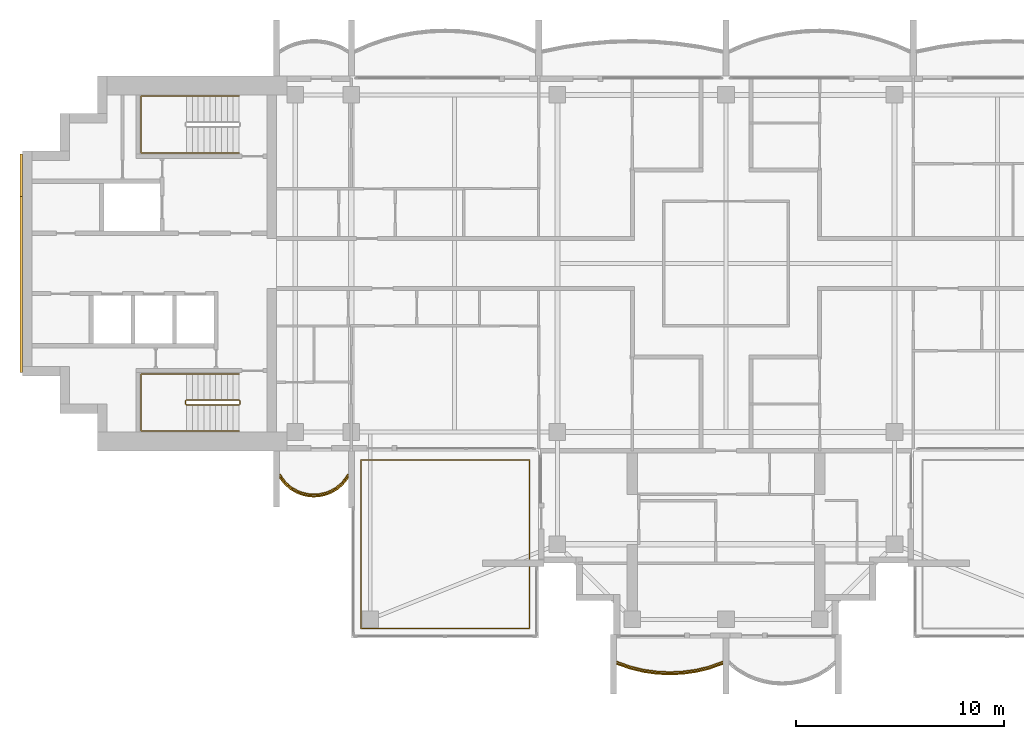
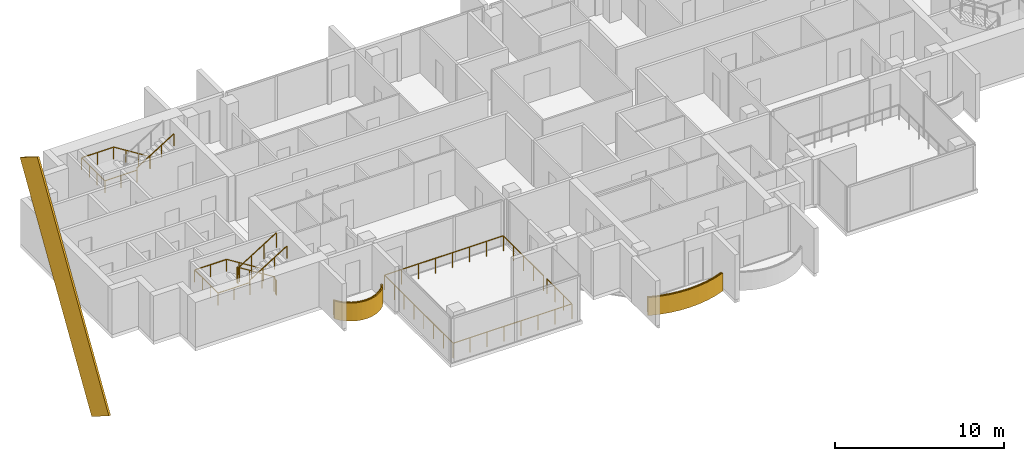
# One storey, part 13 of 16: 6 railings, 3 coverings.
"""IFC4 building model written with IfcOpenShell, lengths in metres."""

from ifc_helpers import new_model, si_unit, direction, frame, origin, origin_2d, place, context, subcontext, project, spatial, polyline, rectangle, outline, extrude, material, layer, layer_set, material_profile, profile_set, type_object, element, save


model = new_model("IFC4")

# Units and contexts
model_context = context("Model", 3, precision=1e-05, world=origin(), true_north=direction((0.0, 1.0)))
body_context = subcontext(model_context, "Body", "Model", "MODEL_VIEW")
ifc_project = project(units=[si_unit("LENGTHUNIT", "METRE"), si_unit("AREAUNIT", "SQUARE_METRE"), si_unit("VOLUMEUNIT", "CUBIC_METRE"), si_unit("PLANEANGLEUNIT", "RADIAN"), si_unit("MASSUNIT", "GRAM", prefix="KILO")], contexts=[model_context])

# Site, building, storey
site_placement = place(None, origin())
site = spatial("IfcSite", under=ifc_project, at=site_placement, CompositionType="ELEMENT")
building_placement = place(site_placement, origin())
building = spatial("IfcBuilding", under=site, at=building_placement, Name="Perihelion Cross Residences", CompositionType="ELEMENT")
storey_placement = place(building_placement, frame((0.0, 0.0, 264.0)))
storey = spatial("IfcBuildingStorey", under=building, at=storey_placement, Name="L67", CompositionType="ELEMENT", Elevation=264.0)

# Coverings
ifc_material_1 = material(Name="Bronze anodised aluminium", Category="aluminium")
ifc_layer = layer(ifc_material_1, 0.070068359375)
ifc_layer_set = layer_set([ifc_layer], Name="Balcony fascia 1300")
covering_type_1 = type_object("IfcCoveringType", Name="Balcony fascia 1300", PredefinedType="CLADDING", material=ifc_layer_set)
covering_1_placement = place(storey_placement, frame((0.0, 0.0, -0.199951171875)))
element("IfcCovering", 1, at=covering_1_placement, inside=storey, type_object=covering_type_1, Name="Fascia BF1 L67 west side south bay 1", PredefinedType="CLADDING", context=body_context, shape_type="SweptSolid", body=[
    extrude(outline(polyline([(-21.226318359375, -10.616455078125), (-20.94091796875, -10.86328125), (-20.655517578125, -11.031494140625), (-20.370361328125, -11.142578125), (-20.085205078125, -11.206298828125), (-19.800048828125, -11.22705078125), (-19.514892578125, -11.206298828125), (-19.229736328125, -11.142578125), (-18.9443359375, -11.031494140625), (-18.6591796875, -10.86328125), (-18.373779296875, -10.616455078125), (-18.14990234375, -10.31689453125), (-18.14990234375, -10.199951171875), (-18.425048828125, -10.568603515625), (-18.699951171875, -10.806396484375), (-18.97509765625, -10.96875), (-19.25, -11.07568359375), (-19.52490234375, -11.136962890625), (-19.800048828125, -11.156982421875), (-20.074951171875, -11.136962890625), (-20.35009765625, -11.07568359375), (-20.625, -10.96875), (-20.89990234375, -10.806396484375), (-21.175048828125, -10.568603515625), (-21.449951171875, -10.199951171875), (-21.449951171875, -10.31689453125), (-21.226318359375, -10.616455078125)])), origin(), (0.0, 0.0, 1.0), 1.300048828125),
])
covering_2_placement = place(storey_placement, frame((0.0, 0.0, -0.199951171875)))
element("IfcCovering", 2, at=covering_2_placement, inside=storey, type_object=covering_type_1, Name="Fascia BF1 L67 south tip south bay 1", PredefinedType="CLADDING", context=body_context, shape_type="SweptSolid", body=[
    extrude(outline(polyline([(-4.63232421875, -19.49072265625), (-3.98828125, -19.647216796875), (-3.34423828125, -19.739501953125), (-2.699951171875, -19.77001953125), (-2.055908203125, -19.739501953125), (-1.411865234375, -19.647216796875), (-0.767578125, -19.49072265625), (-0.14990234375, -19.274169921875), (-0.14990234375, -19.199951171875), (-0.78759765625, -19.423583984375), (-1.425048828125, -19.57861328125), (-2.0625, -19.669921875), (-2.699951171875, -19.699951171875), (-3.33740234375, -19.669921875), (-3.97509765625, -19.57861328125), (-4.612548828125, -19.423583984375), (-5.25, -19.199951171875), (-5.25, -19.274169921875), (-4.63232421875, -19.49072265625)])), origin(), (0.0, 0.0, 1.0), 1.300048828125),
])

# Railings
ifc_material_2 = material(Name="Bronze anodised aluminium", Category="aluminium")
railing_type_1 = type_object("IfcRailingType", Name="Balcony guard 1100", PredefinedType="GUARDRAIL", material=ifc_material_2)
railing_1_placement = place(storey_placement, frame((-21.425048828125, -10.139892578125, 0.0)))
element("IfcRailing", 3, at=railing_1_placement, inside=storey, type_object=railing_type_1, Name="Guard GU1 L67 west side south bay 1 balcony", PredefinedType="GUARDRAIL", context=body_context, shape_type="SweptSolid", body=[
    extrude(rectangle(XDim=0.048095703125, YDim=0.048095703125, at=origin_2d()), frame((0.0, 0.0, 1.076171875), z_axis=(0.561260132269, -0.827639452857, 0.0), x_axis=(0.827639452857, 0.561260132269, 0.0)), (0.0, 0.0, 1.0), 0.4453125),
    extrude(rectangle(XDim=0.048095703125, YDim=0.048095703125, at=origin_2d()), frame((0.25, -0.36865234375, 1.076171875), z_axis=(0.756596535164, -0.653882009982, 0.0), x_axis=(0.653882009982, 0.756596535164, 0.0)), (0.0, 0.0, 1.0), 0.36376953125),
    extrude(rectangle(XDim=0.048095703125, YDim=0.048095703125, at=origin_2d()), frame((0.525146484375, -0.6064453125, 1.076171875), z_axis=(0.861048292884, -0.508523192511, 0.0), x_axis=(0.508523192511, 0.861048292884, 0.0)), (0.0, 0.0, 1.0), 0.3193359375),
    extrude(rectangle(XDim=0.048095703125, YDim=0.048095703125, at=origin_2d()), frame((0.800048828125, -0.768798828125, 1.076171875), z_axis=(0.931973602183, -0.362526143656, 0.0), x_axis=(0.362526143656, 0.931973602183, 0.0)), (0.0, 0.0, 1.0), 0.294921875),
    extrude(rectangle(XDim=0.048095703125, YDim=0.048095703125, at=origin_2d()), frame((1.074951171875, -0.875732421875, 1.076171875), z_axis=(0.976085059389, -0.21738895289, 0.0), x_axis=(0.21738895289, 0.976085059389, 0.0)), (0.0, 0.0, 1.0), 0.281982421875),
    extrude(rectangle(XDim=0.048095703125, YDim=0.048095703125, at=origin_2d()), frame((1.35009765625, -0.93701171875, 1.076171875), z_axis=(0.997358821833, -0.072631814734, 0.0), x_axis=(0.072631814734, 0.997358821833, 0.0)), (0.0, 0.0, 1.0), 0.275634765625),
    extrude(rectangle(XDim=0.048095703125, YDim=0.048095703125, at=origin_2d()), frame((1.625, -0.95703125, 1.076171875), z_axis=(0.997363488337, 0.072567707226, 0.0), x_axis=(-0.072567707226, 0.997363488337, 0.0)), (0.0, 0.0, 1.0), 0.27587890625),
    extrude(rectangle(XDim=0.048095703125, YDim=0.048095703125, at=origin_2d()), frame((1.900146484375, -0.93701171875, 1.076171875), z_axis=(0.976044077717, 0.217572880557, 0.0), x_axis=(-0.217572880557, 0.976044077717, 0.0)), (0.0, 0.0, 1.0), 0.28173828125),
    extrude(rectangle(XDim=0.048095703125, YDim=0.048095703125, at=origin_2d()), frame((2.175048828125, -0.875732421875, 1.076171875), z_axis=(0.931973602183, 0.362526143656, 0.0), x_axis=(-0.362526143656, 0.931973602183, 0.0)), (0.0, 0.0, 1.0), 0.294921875),
    extrude(rectangle(XDim=0.048095703125, YDim=0.048095703125, at=origin_2d()), frame((2.449951171875, -0.768798828125, 1.076171875), z_axis=(0.861245845072, 0.508188542123, 0.0), x_axis=(-0.508188542123, 0.861245845072, 0.0)), (0.0, 0.0, 1.0), 0.319580078125),
    extrude(rectangle(XDim=0.048095703125, YDim=0.048095703125, at=origin_2d()), frame((2.72509765625, -0.6064453125, 1.076171875), z_axis=(0.756309278473, 0.654214242658, 0.0), x_axis=(-0.654214242658, 0.756309278473, 0.0)), (0.0, 0.0, 1.0), 0.363525390625),
    extrude(rectangle(XDim=0.048095703125, YDim=0.048095703125, at=origin_2d()), frame((3.0, -0.36865234375, 1.076171875), z_axis=(0.561260132269, 0.827639452857, 0.0), x_axis=(-0.827639452857, 0.561260132269, 0.0)), (0.0, 0.0, 1.0), 0.4453125),
    extrude(rectangle(XDim=0.0419921875, YDim=0.0419921875, at=origin_2d()), origin(), (0.0, 0.0, 1.0), 1.052001953125),
    extrude(rectangle(XDim=0.0419921875, YDim=0.0419921875, at=origin_2d()), frame((0.25, -0.36865234375, 0.0)), (0.0, 0.0, 1.0), 1.052001953125),
    extrude(rectangle(XDim=0.0419921875, YDim=0.0419921875, at=origin_2d()), frame((0.525146484375, -0.6064453125, 0.0)), (0.0, 0.0, 1.0), 1.052001953125),
    extrude(rectangle(XDim=0.0419921875, YDim=0.0419921875, at=origin_2d()), frame((0.800048828125, -0.768798828125, 0.0)), (0.0, 0.0, 1.0), 1.052001953125),
    extrude(rectangle(XDim=0.0419921875, YDim=0.0419921875, at=origin_2d()), frame((1.074951171875, -0.875732421875, 0.0)), (0.0, 0.0, 1.0), 1.052001953125),
    extrude(rectangle(XDim=0.0419921875, YDim=0.0419921875, at=origin_2d()), frame((1.35009765625, -0.93701171875, 0.0)), (0.0, 0.0, 1.0), 1.052001953125),
    extrude(rectangle(XDim=0.0419921875, YDim=0.0419921875, at=origin_2d()), frame((1.625, -0.95703125, 0.0)), (0.0, 0.0, 1.0), 1.052001953125),
    extrude(rectangle(XDim=0.0419921875, YDim=0.0419921875, at=origin_2d()), frame((1.900146484375, -0.93701171875, 0.0)), (0.0, 0.0, 1.0), 1.052001953125),
    extrude(rectangle(XDim=0.0419921875, YDim=0.0419921875, at=origin_2d()), frame((2.175048828125, -0.875732421875, 0.0)), (0.0, 0.0, 1.0), 1.052001953125),
    extrude(rectangle(XDim=0.0419921875, YDim=0.0419921875, at=origin_2d()), frame((2.449951171875, -0.768798828125, 0.0)), (0.0, 0.0, 1.0), 1.052001953125),
    extrude(rectangle(XDim=0.0419921875, YDim=0.0419921875, at=origin_2d()), frame((2.72509765625, -0.6064453125, 0.0)), (0.0, 0.0, 1.0), 1.052001953125),
    extrude(rectangle(XDim=0.0419921875, YDim=0.0419921875, at=origin_2d()), frame((3.0, -0.36865234375, 0.0)), (0.0, 0.0, 1.0), 1.052001953125),
    extrude(rectangle(XDim=0.0419921875, YDim=0.0419921875, at=origin_2d()), frame((3.25, 0.0, 0.0)), (0.0, 0.0, 1.0), 1.052001953125),
])
railing_2_placement = place(storey_placement, frame((-5.22509765625, -19.139892578125, 0.0)))
element("IfcRailing", 4, at=railing_2_placement, inside=storey, type_object=railing_type_1, Name="Guard GU1 L67 south tip south bay 1 balcony", PredefinedType="GUARDRAIL", context=body_context, shape_type="SweptSolid", body=[
    extrude(rectangle(XDim=0.048095703125, YDim=0.048095703125, at=origin_2d()), frame((0.0, 0.0, 1.076171875), z_axis=(0.939355405384, -0.342945217749, 0.0), x_axis=(0.342945217749, 0.939355405384, 0.0)), (0.0, 0.0, 1.0), 0.652099609375),
    extrude(rectangle(XDim=0.048095703125, YDim=0.048095703125, at=origin_2d()), frame((0.612548828125, -0.2236328125, 1.076171875), z_axis=(0.971676841941, -0.236313594268, 0.0), x_axis=(0.236313594268, 0.971676841941, 0.0)), (0.0, 0.0, 1.0), 0.656005859375),
    extrude(rectangle(XDim=0.048095703125, YDim=0.048095703125, at=origin_2d()), frame((1.25, -0.378662109375, 1.076171875), z_axis=(0.989903964498, -0.141739694763, 0.0), x_axis=(0.141739694763, 0.989903964498, 0.0)), (0.0, 0.0, 1.0), 0.644287109375),
    extrude(rectangle(XDim=0.048095703125, YDim=0.048095703125, at=origin_2d()), frame((1.8876953125, -0.469970703125, 1.076171875), z_axis=(0.998892243319, -0.04705620296, 0.0), x_axis=(0.04705620296, 0.998892243319, 0.0)), (0.0, 0.0, 1.0), 0.63818359375),
    extrude(rectangle(XDim=0.048095703125, YDim=0.048095703125, at=origin_2d()), frame((2.525146484375, -0.5, 1.076171875), z_axis=(0.998892243319, 0.04705620296, 0.0), x_axis=(-0.04705620296, 0.998892243319, 0.0)), (0.0, 0.0, 1.0), 0.63818359375),
    extrude(rectangle(XDim=0.048095703125, YDim=0.048095703125, at=origin_2d()), frame((3.16259765625, -0.469970703125, 1.076171875), z_axis=(0.989896346386, 0.141792889142, 0.0), x_axis=(-0.141792889142, 0.989896346386, 0.0)), (0.0, 0.0, 1.0), 0.64404296875),
    extrude(rectangle(XDim=0.048095703125, YDim=0.048095703125, at=origin_2d()), frame((3.800048828125, -0.378662109375, 1.076171875), z_axis=(0.971676841941, 0.236313594268, 0.0), x_axis=(-0.236313594268, 0.971676841941, 0.0)), (0.0, 0.0, 1.0), 0.656005859375),
    extrude(rectangle(XDim=0.048095703125, YDim=0.048095703125, at=origin_2d()), frame((4.4375, -0.2236328125, 1.076171875), z_axis=(0.939355405384, 0.342945217749, 0.0), x_axis=(-0.342945217749, 0.939355405384, 0.0)), (0.0, 0.0, 1.0), 0.652099609375),
    extrude(rectangle(XDim=0.0419921875, YDim=0.0419921875, at=origin_2d()), origin(), (0.0, 0.0, 1.0), 1.052001953125),
    extrude(rectangle(XDim=0.0419921875, YDim=0.0419921875, at=origin_2d()), frame((0.612548828125, -0.2236328125, 0.0)), (0.0, 0.0, 1.0), 1.052001953125),
    extrude(rectangle(XDim=0.0419921875, YDim=0.0419921875, at=origin_2d()), frame((1.25, -0.378662109375, 0.0)), (0.0, 0.0, 1.0), 1.052001953125),
    extrude(rectangle(XDim=0.0419921875, YDim=0.0419921875, at=origin_2d()), frame((1.8876953125, -0.469970703125, 0.0)), (0.0, 0.0, 1.0), 1.052001953125),
    extrude(rectangle(XDim=0.0419921875, YDim=0.0419921875, at=origin_2d()), frame((2.525146484375, -0.5, 0.0)), (0.0, 0.0, 1.0), 1.052001953125),
    extrude(rectangle(XDim=0.0419921875, YDim=0.0419921875, at=origin_2d()), frame((3.16259765625, -0.469970703125, 0.0)), (0.0, 0.0, 1.0), 1.052001953125),
    extrude(rectangle(XDim=0.0419921875, YDim=0.0419921875, at=origin_2d()), frame((3.800048828125, -0.378662109375, 0.0)), (0.0, 0.0, 1.0), 1.052001953125),
    extrude(rectangle(XDim=0.0419921875, YDim=0.0419921875, at=origin_2d()), frame((4.4375, -0.2236328125, 0.0)), (0.0, 0.0, 1.0), 1.052001953125),
    extrude(rectangle(XDim=0.0419921875, YDim=0.0419921875, at=origin_2d()), frame((5.050048828125, 0.0, 0.0)), (0.0, 0.0, 1.0), 1.052001953125),
])
railing_3_placement = place(storey_placement, frame((-9.449951171875, -14.590087890625, 0.0)))
element("IfcRailing", 5, at=railing_3_placement, inside=storey, type_object=railing_type_1, Name="Guard GU1 L67 pocket south-west 1", PredefinedType="GUARDRAIL", context=body_context, shape_type="SweptSolid", body=[
    extrude(rectangle(XDim=0.048095703125, YDim=0.048095703125, at=origin_2d()), frame((0.0, 0.0, 1.076171875), z_axis=(0.0, -1.0, 0.0), x_axis=(1.0, 0.0, 0.0)), (0.0, 0.0, 1.0), 2.9599609375),
    extrude(rectangle(XDim=0.048095703125, YDim=0.048095703125, at=origin_2d()), frame((0.0, -2.9599609375, 1.076171875), z_axis=(-1.0, 0.0, 0.0), x_axis=(0.0, -1.0, 0.0)), (0.0, 0.0, 1.0), 8.10009765625),
    extrude(rectangle(XDim=0.048095703125, YDim=0.048095703125, at=origin_2d()), frame((-8.10009765625, -2.9599609375, 1.076171875), z_axis=(0.0, 1.0, 0.0), x_axis=(-1.0, 0.0, 0.0)), (0.0, 0.0, 1.0), 8.10009765625),
    extrude(rectangle(XDim=0.048095703125, YDim=0.048095703125, at=origin_2d()), frame((-8.10009765625, 5.14013671875, 1.076171875), z_axis=(1.0, 0.0, 0.0), x_axis=(0.0, 1.0, 0.0)), (0.0, 0.0, 1.0), 8.10009765625),
    extrude(rectangle(XDim=0.048095703125, YDim=0.048095703125, at=origin_2d()), frame((0.0, 5.14013671875, 1.076171875), z_axis=(0.0, -1.0, 0.0), x_axis=(1.0, 0.0, 0.0)), (0.0, 0.0, 1.0), 4.760009765625),
    extrude(rectangle(XDim=0.0419921875, YDim=0.0419921875, at=origin_2d()), origin(), (0.0, 0.0, 1.0), 1.052001953125),
    extrude(rectangle(XDim=0.0419921875, YDim=0.0419921875, at=origin_2d()), frame((0.0, -0.986572265625, 0.0)), (0.0, 0.0, 1.0), 1.052001953125),
    extrude(rectangle(XDim=0.0419921875, YDim=0.0419921875, at=origin_2d()), frame((0.0, -1.973388671875, 0.0)), (0.0, 0.0, 1.0), 1.052001953125),
    extrude(rectangle(XDim=0.0419921875, YDim=0.0419921875, at=origin_2d()), frame((0.0, -2.9599609375, 0.0)), (0.0, 0.0, 1.0), 1.052001953125),
    extrude(rectangle(XDim=0.0419921875, YDim=0.0419921875, at=origin_2d()), frame((-1.1572265625, -2.9599609375, 0.0)), (0.0, 0.0, 1.0), 1.052001953125),
    extrude(rectangle(XDim=0.0419921875, YDim=0.0419921875, at=origin_2d()), frame((-2.314208984375, -2.9599609375, 0.0)), (0.0, 0.0, 1.0), 1.052001953125),
    extrude(rectangle(XDim=0.0419921875, YDim=0.0419921875, at=origin_2d()), frame((-3.471435546875, -2.9599609375, 0.0)), (0.0, 0.0, 1.0), 1.052001953125),
    extrude(rectangle(XDim=0.0419921875, YDim=0.0419921875, at=origin_2d()), frame((-4.628662109375, -2.9599609375, 0.0)), (0.0, 0.0, 1.0), 1.052001953125),
    extrude(rectangle(XDim=0.0419921875, YDim=0.0419921875, at=origin_2d()), frame((-5.785888671875, -2.9599609375, 0.0)), (0.0, 0.0, 1.0), 1.052001953125),
    extrude(rectangle(XDim=0.0419921875, YDim=0.0419921875, at=origin_2d()), frame((-6.94287109375, -2.9599609375, 0.0)), (0.0, 0.0, 1.0), 1.052001953125),
    extrude(rectangle(XDim=0.0419921875, YDim=0.0419921875, at=origin_2d()), frame((-8.10009765625, -2.9599609375, 0.0)), (0.0, 0.0, 1.0), 1.052001953125),
    extrude(rectangle(XDim=0.0419921875, YDim=0.0419921875, at=origin_2d()), frame((-8.10009765625, -1.802734375, 0.0)), (0.0, 0.0, 1.0), 1.052001953125),
    extrude(rectangle(XDim=0.0419921875, YDim=0.0419921875, at=origin_2d()), frame((-8.10009765625, -0.645751953125, 0.0)), (0.0, 0.0, 1.0), 1.052001953125),
    extrude(rectangle(XDim=0.0419921875, YDim=0.0419921875, at=origin_2d()), frame((-8.10009765625, 0.511474609375, 0.0)), (0.0, 0.0, 1.0), 1.052001953125),
    extrude(rectangle(XDim=0.0419921875, YDim=0.0419921875, at=origin_2d()), frame((-8.10009765625, 1.668701171875, 0.0)), (0.0, 0.0, 1.0), 1.052001953125),
    extrude(rectangle(XDim=0.0419921875, YDim=0.0419921875, at=origin_2d()), frame((-8.10009765625, 2.825927734375, 0.0)), (0.0, 0.0, 1.0), 1.052001953125),
    extrude(rectangle(XDim=0.0419921875, YDim=0.0419921875, at=origin_2d()), frame((-8.10009765625, 3.98291015625, 0.0)), (0.0, 0.0, 1.0), 1.052001953125),
    extrude(rectangle(XDim=0.0419921875, YDim=0.0419921875, at=origin_2d()), frame((-8.10009765625, 5.14013671875, 0.0)), (0.0, 0.0, 1.0), 1.052001953125),
    extrude(rectangle(XDim=0.0419921875, YDim=0.0419921875, at=origin_2d()), frame((-6.94287109375, 5.14013671875, 0.0)), (0.0, 0.0, 1.0), 1.052001953125),
    extrude(rectangle(XDim=0.0419921875, YDim=0.0419921875, at=origin_2d()), frame((-5.785888671875, 5.14013671875, 0.0)), (0.0, 0.0, 1.0), 1.052001953125),
    extrude(rectangle(XDim=0.0419921875, YDim=0.0419921875, at=origin_2d()), frame((-4.628662109375, 5.14013671875, 0.0)), (0.0, 0.0, 1.0), 1.052001953125),
    extrude(rectangle(XDim=0.0419921875, YDim=0.0419921875, at=origin_2d()), frame((-3.471435546875, 5.14013671875, 0.0)), (0.0, 0.0, 1.0), 1.052001953125),
    extrude(rectangle(XDim=0.0419921875, YDim=0.0419921875, at=origin_2d()), frame((-2.314208984375, 5.14013671875, 0.0)), (0.0, 0.0, 1.0), 1.052001953125),
    extrude(rectangle(XDim=0.0419921875, YDim=0.0419921875, at=origin_2d()), frame((-1.1572265625, 5.14013671875, 0.0)), (0.0, 0.0, 1.0), 1.052001953125),
    extrude(rectangle(XDim=0.0419921875, YDim=0.0419921875, at=origin_2d()), frame((0.0, 5.14013671875, 0.0)), (0.0, 0.0, 1.0), 1.052001953125),
    extrude(rectangle(XDim=0.0419921875, YDim=0.0419921875, at=origin_2d()), frame((0.0, 3.9501953125, 0.0)), (0.0, 0.0, 1.0), 1.052001953125),
    extrude(rectangle(XDim=0.0419921875, YDim=0.0419921875, at=origin_2d()), frame((0.0, 2.76025390625, 0.0)), (0.0, 0.0, 1.0), 1.052001953125),
    extrude(rectangle(XDim=0.0419921875, YDim=0.0419921875, at=origin_2d()), frame((0.0, 1.570068359375, 0.0)), (0.0, 0.0, 1.0), 1.052001953125),
    extrude(rectangle(XDim=0.0419921875, YDim=0.0419921875, at=origin_2d()), frame((0.0, 0.380126953125, 0.0)), (0.0, 0.0, 1.0), 1.052001953125),
])

# Covering
ifc_material_3 = material(Name="Bronze anodised aluminium", Category="aluminium")
ifc_material_profile = material_profile(ifc_material_3, rectangle(XDim=0.125, YDim=2.39990234375, at=origin_2d()), Name="Bronze cladding band 2400")
ifc_profile_set = profile_set([ifc_material_profile], Name="Bronze anodised aluminium")
covering_type_2 = type_object("IfcCoveringType", Name="Bronze cladding band 2400", PredefinedType="CLADDING", material=ifc_profile_set)
covering_3_placement = place(storey_placement, frame((-33.862548828125, -4.232421875, -6.5302734375), z_axis=(0.0, 0.529924750763, 0.848044667767), x_axis=(-1.0, 0.0, 0.0)))
element("IfcCovering", 6, at=covering_3_placement, inside=storey, type_object=covering_type_2, Name="Core cladding band, west core", PredefinedType="CLADDING", context=body_context, shape_type="SweptSolid", body=[
    extrude(rectangle(XDim=0.125, YDim=2.39990234375, at=origin_2d()), origin(), (0.0, 0.0, 1.0), 15.9736328125),
])

# Railings
ifc_material_4 = material(Name="Stainless steel", Category="steel")
railing_type_2 = type_object("IfcRailingType", Name="Stair guard 1100", PredefinedType="GUARDRAIL", material=ifc_material_4)
railing_4_placement = place(storey_placement, frame((-23.35009765625, -6.75, 0.0)))
element("IfcRailing", 7, at=railing_4_placement, inside=storey, type_object=railing_type_2, Name="L67 ST-W2 stair guard 1", PredefinedType="GUARDRAIL", context=body_context, shape_type="SweptSolid", body=[
    extrude(rectangle(XDim=0.048095703125, YDim=0.048095703125, at=origin_2d()), frame((0.0, 0.0, 1.076171875), z_axis=(0.0, 1.0, 0.0), x_axis=(-1.0, 0.0, 0.0)), (0.0, 0.0, 1.0), 0.14990234375),
    extrude(rectangle(XDim=0.048095703125, YDim=0.048095703125, at=origin_2d()), frame((0.0, 0.14990234375, 1.076171875), z_axis=(-0.263862480399, 0.265155923931, 0.927399011991), x_axis=(-0.708833529934, -0.705375805398, 0.0)), (0.0, 0.0, 1.0), 0.188720703125),
    extrude(rectangle(XDim=0.048095703125, YDim=0.048095703125, at=origin_2d()), frame((-0.0498046875, 0.199951171875, 1.2509765625), z_axis=(-0.848007534815, 0.0, 0.529984170421), x_axis=(0.0, -1.0, 0.0)), (0.0, 0.0, 1.0), 2.9716796875),
    extrude(rectangle(XDim=0.048095703125, YDim=0.048095703125, at=origin_2d()), frame((-2.56982421875, 0.199951171875, 2.826171875), z_axis=(-0.707106781187, -0.707106781187, 0.0), x_axis=(0.707106781187, -0.707106781187, 0.0)), (0.0, 0.0, 1.0), 0.07080078125),
    extrude(rectangle(XDim=0.048095703125, YDim=0.048095703125, at=origin_2d()), frame((-2.619873046875, 0.14990234375, 2.826171875), z_axis=(0.0, -1.0, 0.0), x_axis=(1.0, 0.0, 0.0)), (0.0, 0.0, 1.0), 0.14990234375),
    extrude(rectangle(XDim=0.048095703125, YDim=0.048095703125, at=origin_2d()), frame((-2.619873046875, 0.0, 2.826171875), z_axis=(0.265065253269, -0.265065253269, 0.927081885822), x_axis=(0.707106781187, 0.707106781187, 0.0)), (0.0, 0.0, 1.0), 0.188720703125),
    extrude(rectangle(XDim=0.048095703125, YDim=0.048095703125, at=origin_2d()), frame((-2.56982421875, -0.050048828125, 3.0009765625), z_axis=(0.848007534815, 0.0, 0.529984170421), x_axis=(0.0, 1.0, 0.0)), (0.0, 0.0, 1.0), 2.9716796875),
    extrude(rectangle(XDim=0.0419921875, YDim=0.0419921875, at=origin_2d()), origin(), (0.0, 0.0, 1.0), 1.052001953125),
    extrude(rectangle(XDim=0.0419921875, YDim=0.0419921875, at=origin_2d()), frame((0.0, 0.14990234375, 0.0)), (0.0, 0.0, 1.0), 1.052001953125),
    extrude(rectangle(XDim=0.0419921875, YDim=0.0419921875, at=origin_2d()), frame((-0.0498046875, 0.199951171875, 0.175048828125)), (0.0, 0.0, 1.0), 1.052001953125),
    extrude(rectangle(XDim=0.0419921875, YDim=0.0419921875, at=origin_2d()), frame((-0.889892578125, 0.199951171875, 0.699951171875)), (0.0, 0.0, 1.0), 1.052001953125),
    extrude(rectangle(XDim=0.0419921875, YDim=0.0419921875, at=origin_2d()), frame((-1.729736328125, 0.199951171875, 1.22509765625)), (0.0, 0.0, 1.0), 1.052001953125),
    extrude(rectangle(XDim=0.0419921875, YDim=0.0419921875, at=origin_2d()), frame((-2.56982421875, 0.199951171875, 1.75)), (0.0, 0.0, 1.0), 1.052001953125),
    extrude(rectangle(XDim=0.0419921875, YDim=0.0419921875, at=origin_2d()), frame((-2.619873046875, 0.14990234375, 1.75)), (0.0, 0.0, 1.0), 1.052001953125),
    extrude(rectangle(XDim=0.0419921875, YDim=0.0419921875, at=origin_2d()), frame((-2.619873046875, 0.0, 1.75)), (0.0, 0.0, 1.0), 1.052001953125),
    extrude(rectangle(XDim=0.0419921875, YDim=0.0419921875, at=origin_2d()), frame((-2.56982421875, -0.050048828125, 1.925048828125)), (0.0, 0.0, 1.0), 1.052001953125),
    extrude(rectangle(XDim=0.0419921875, YDim=0.0419921875, at=origin_2d()), frame((-1.729736328125, -0.050048828125, 2.449951171875)), (0.0, 0.0, 1.0), 1.052001953125),
    extrude(rectangle(XDim=0.0419921875, YDim=0.0419921875, at=origin_2d()), frame((-0.889892578125, -0.050048828125, 2.97509765625)), (0.0, 0.0, 1.0), 1.052001953125),
    extrude(rectangle(XDim=0.0419921875, YDim=0.0419921875, at=origin_2d()), frame((-0.0498046875, -0.050048828125, 3.5)), (0.0, 0.0, 1.0), 1.052001953125),
])
ifc_material_5 = material(Name="Stainless steel", Category="steel")
railing_type_3 = type_object("IfcRailingType", Name="Stair handrail 900", PredefinedType="HANDRAIL", material=ifc_material_5)
railing_5_placement = place(storey_placement, frame((-23.39990234375, 8.050048828125, 0.175048828125)))
element("IfcRailing", 8, at=railing_5_placement, inside=storey, type_object=railing_type_3, Name="L67 ST-W1 stair handrail 1", PredefinedType="HANDRAIL", context=body_context, shape_type="SweptSolid", body=[
    extrude(rectangle(XDim=0.048095703125, YDim=0.048095703125, at=origin_2d()), frame((0.0, 0.0, 0.8759765625), z_axis=(-0.848007534815, 0.0, 0.529984170421), x_axis=(0.0, -1.0, 0.0)), (0.0, 0.0, 1.0), 2.9716796875),
    extrude(rectangle(XDim=0.048095703125, YDim=0.048095703125, at=origin_2d()), frame((-2.52001953125, 0.0, 2.45068359375), z_axis=(-1.0, 0.0, 0.0), x_axis=(0.0, -1.0, 0.0)), (0.0, 0.0, 1.0), 2.18017578125),
    extrude(rectangle(XDim=0.048095703125, YDim=0.048095703125, at=origin_2d()), frame((-4.7001953125, 0.0, 2.45068359375), z_axis=(0.0, -1.0, 0.0), x_axis=(1.0, 0.0, 0.0)), (0.0, 0.0, 1.0), 2.75),
    extrude(rectangle(XDim=0.048095703125, YDim=0.048095703125, at=origin_2d()), frame((-4.7001953125, -2.75, 2.45068359375), z_axis=(1.0, 0.0, 0.0), x_axis=(0.0, 1.0, 0.0)), (0.0, 0.0, 1.0), 2.18017578125),
    extrude(rectangle(XDim=0.048095703125, YDim=0.048095703125, at=origin_2d()), frame((-2.52001953125, -2.75, 2.45068359375), z_axis=(0.0, 0.0, 1.0), x_axis=(1.0, 0.0, 0.0)), (0.0, 0.0, 1.0), 0.175048828125),
    extrude(rectangle(XDim=0.048095703125, YDim=0.048095703125, at=origin_2d()), frame((-2.52001953125, -2.75, 2.6259765625), z_axis=(0.848007534815, 0.0, 0.529984170421), x_axis=(0.0, 1.0, 0.0)), (0.0, 0.0, 1.0), 2.9716796875),
    extrude(rectangle(XDim=0.0419921875, YDim=0.0419921875, at=origin_2d()), origin(), (0.0, 0.0, 1.0), 0.851806640625),
    extrude(rectangle(XDim=0.0419921875, YDim=0.0419921875, at=origin_2d()), frame((-0.840087890625, 0.0, 0.52490234375)), (0.0, 0.0, 1.0), 0.851806640625),
    extrude(rectangle(XDim=0.0419921875, YDim=0.0419921875, at=origin_2d()), frame((-1.679931640625, 0.0, 1.050048828125)), (0.0, 0.0, 1.0), 0.851806640625),
    extrude(rectangle(XDim=0.0419921875, YDim=0.0419921875, at=origin_2d()), frame((-2.52001953125, 0.0, 1.574951171875)), (0.0, 0.0, 1.0), 0.851806640625),
    extrude(rectangle(XDim=0.0419921875, YDim=0.0419921875, at=origin_2d()), frame((-3.610107421875, 0.0, 1.574951171875)), (0.0, 0.0, 1.0), 0.851806640625),
    extrude(rectangle(XDim=0.0419921875, YDim=0.0419921875, at=origin_2d()), frame((-4.7001953125, 0.0, 1.574951171875)), (0.0, 0.0, 1.0), 0.851806640625),
    extrude(rectangle(XDim=0.0419921875, YDim=0.0419921875, at=origin_2d()), frame((-4.7001953125, -0.916748046875, 1.574951171875)), (0.0, 0.0, 1.0), 0.851806640625),
    extrude(rectangle(XDim=0.0419921875, YDim=0.0419921875, at=origin_2d()), frame((-4.7001953125, -1.833251953125, 1.574951171875)), (0.0, 0.0, 1.0), 0.851806640625),
    extrude(rectangle(XDim=0.0419921875, YDim=0.0419921875, at=origin_2d()), frame((-4.7001953125, -2.75, 1.574951171875)), (0.0, 0.0, 1.0), 0.851806640625),
    extrude(rectangle(XDim=0.0419921875, YDim=0.0419921875, at=origin_2d()), frame((-3.610107421875, -2.75, 1.574951171875)), (0.0, 0.0, 1.0), 0.851806640625),
    extrude(rectangle(XDim=0.0419921875, YDim=0.0419921875, at=origin_2d()), frame((-2.52001953125, -2.75, 1.574951171875)), (0.0, 0.0, 1.0), 0.851806640625),
    extrude(rectangle(XDim=0.0419921875, YDim=0.0419921875, at=origin_2d()), frame((-2.52001953125, -2.75, 1.75)), (0.0, 0.0, 1.0), 0.851806640625),
    extrude(rectangle(XDim=0.0419921875, YDim=0.0419921875, at=origin_2d()), frame((-1.679931640625, -2.75, 2.27490234375)), (0.0, 0.0, 1.0), 0.851806640625),
    extrude(rectangle(XDim=0.0419921875, YDim=0.0419921875, at=origin_2d()), frame((-0.840087890625, -2.75, 2.800048828125)), (0.0, 0.0, 1.0), 0.851806640625),
    extrude(rectangle(XDim=0.0419921875, YDim=0.0419921875, at=origin_2d()), frame((0.0, -2.75, 3.324951171875)), (0.0, 0.0, 1.0), 0.851806640625),
])
railing_6_placement = place(storey_placement, frame((-23.39990234375, -5.300048828125, 0.175048828125)))
element("IfcRailing", 9, at=railing_6_placement, inside=storey, type_object=railing_type_3, Name="L67 ST-W2 stair handrail 1", PredefinedType="HANDRAIL", context=body_context, shape_type="SweptSolid", body=[
    extrude(rectangle(XDim=0.048095703125, YDim=0.048095703125, at=origin_2d()), frame((0.0, 0.0, 0.8759765625), z_axis=(-0.848007534815, 0.0, 0.529984170421), x_axis=(0.0, -1.0, 0.0)), (0.0, 0.0, 1.0), 2.9716796875),
    extrude(rectangle(XDim=0.048095703125, YDim=0.048095703125, at=origin_2d()), frame((-2.52001953125, 0.0, 2.45068359375), z_axis=(-1.0, 0.0, 0.0), x_axis=(0.0, -1.0, 0.0)), (0.0, 0.0, 1.0), 2.18017578125),
    extrude(rectangle(XDim=0.048095703125, YDim=0.048095703125, at=origin_2d()), frame((-4.7001953125, 0.0, 2.45068359375), z_axis=(0.0, -1.0, 0.0), x_axis=(1.0, 0.0, 0.0)), (0.0, 0.0, 1.0), 2.75),
    extrude(rectangle(XDim=0.048095703125, YDim=0.048095703125, at=origin_2d()), frame((-4.7001953125, -2.75, 2.45068359375), z_axis=(1.0, 0.0, 0.0), x_axis=(0.0, 1.0, 0.0)), (0.0, 0.0, 1.0), 2.18017578125),
    extrude(rectangle(XDim=0.048095703125, YDim=0.048095703125, at=origin_2d()), frame((-2.52001953125, -2.75, 2.45068359375), z_axis=(0.0, 0.0, 1.0), x_axis=(1.0, 0.0, 0.0)), (0.0, 0.0, 1.0), 0.175048828125),
    extrude(rectangle(XDim=0.048095703125, YDim=0.048095703125, at=origin_2d()), frame((-2.52001953125, -2.75, 2.6259765625), z_axis=(0.848007534815, 0.0, 0.529984170421), x_axis=(0.0, 1.0, 0.0)), (0.0, 0.0, 1.0), 2.9716796875),
    extrude(rectangle(XDim=0.0419921875, YDim=0.0419921875, at=origin_2d()), origin(), (0.0, 0.0, 1.0), 0.851806640625),
    extrude(rectangle(XDim=0.0419921875, YDim=0.0419921875, at=origin_2d()), frame((-0.840087890625, 0.0, 0.52490234375)), (0.0, 0.0, 1.0), 0.851806640625),
    extrude(rectangle(XDim=0.0419921875, YDim=0.0419921875, at=origin_2d()), frame((-1.679931640625, 0.0, 1.050048828125)), (0.0, 0.0, 1.0), 0.851806640625),
    extrude(rectangle(XDim=0.0419921875, YDim=0.0419921875, at=origin_2d()), frame((-2.52001953125, 0.0, 1.574951171875)), (0.0, 0.0, 1.0), 0.851806640625),
    extrude(rectangle(XDim=0.0419921875, YDim=0.0419921875, at=origin_2d()), frame((-3.610107421875, 0.0, 1.574951171875)), (0.0, 0.0, 1.0), 0.851806640625),
    extrude(rectangle(XDim=0.0419921875, YDim=0.0419921875, at=origin_2d()), frame((-4.7001953125, 0.0, 1.574951171875)), (0.0, 0.0, 1.0), 0.851806640625),
    extrude(rectangle(XDim=0.0419921875, YDim=0.0419921875, at=origin_2d()), frame((-4.7001953125, -0.916748046875, 1.574951171875)), (0.0, 0.0, 1.0), 0.851806640625),
    extrude(rectangle(XDim=0.0419921875, YDim=0.0419921875, at=origin_2d()), frame((-4.7001953125, -1.833251953125, 1.574951171875)), (0.0, 0.0, 1.0), 0.851806640625),
    extrude(rectangle(XDim=0.0419921875, YDim=0.0419921875, at=origin_2d()), frame((-4.7001953125, -2.75, 1.574951171875)), (0.0, 0.0, 1.0), 0.851806640625),
    extrude(rectangle(XDim=0.0419921875, YDim=0.0419921875, at=origin_2d()), frame((-3.610107421875, -2.75, 1.574951171875)), (0.0, 0.0, 1.0), 0.851806640625),
    extrude(rectangle(XDim=0.0419921875, YDim=0.0419921875, at=origin_2d()), frame((-2.52001953125, -2.75, 1.574951171875)), (0.0, 0.0, 1.0), 0.851806640625),
    extrude(rectangle(XDim=0.0419921875, YDim=0.0419921875, at=origin_2d()), frame((-2.52001953125, -2.75, 1.75)), (0.0, 0.0, 1.0), 0.851806640625),
    extrude(rectangle(XDim=0.0419921875, YDim=0.0419921875, at=origin_2d()), frame((-1.679931640625, -2.75, 2.27490234375)), (0.0, 0.0, 1.0), 0.851806640625),
    extrude(rectangle(XDim=0.0419921875, YDim=0.0419921875, at=origin_2d()), frame((-0.840087890625, -2.75, 2.800048828125)), (0.0, 0.0, 1.0), 0.851806640625),
    extrude(rectangle(XDim=0.0419921875, YDim=0.0419921875, at=origin_2d()), frame((0.0, -2.75, 3.324951171875)), (0.0, 0.0, 1.0), 0.851806640625),
])

save(model, "model.ifc")
